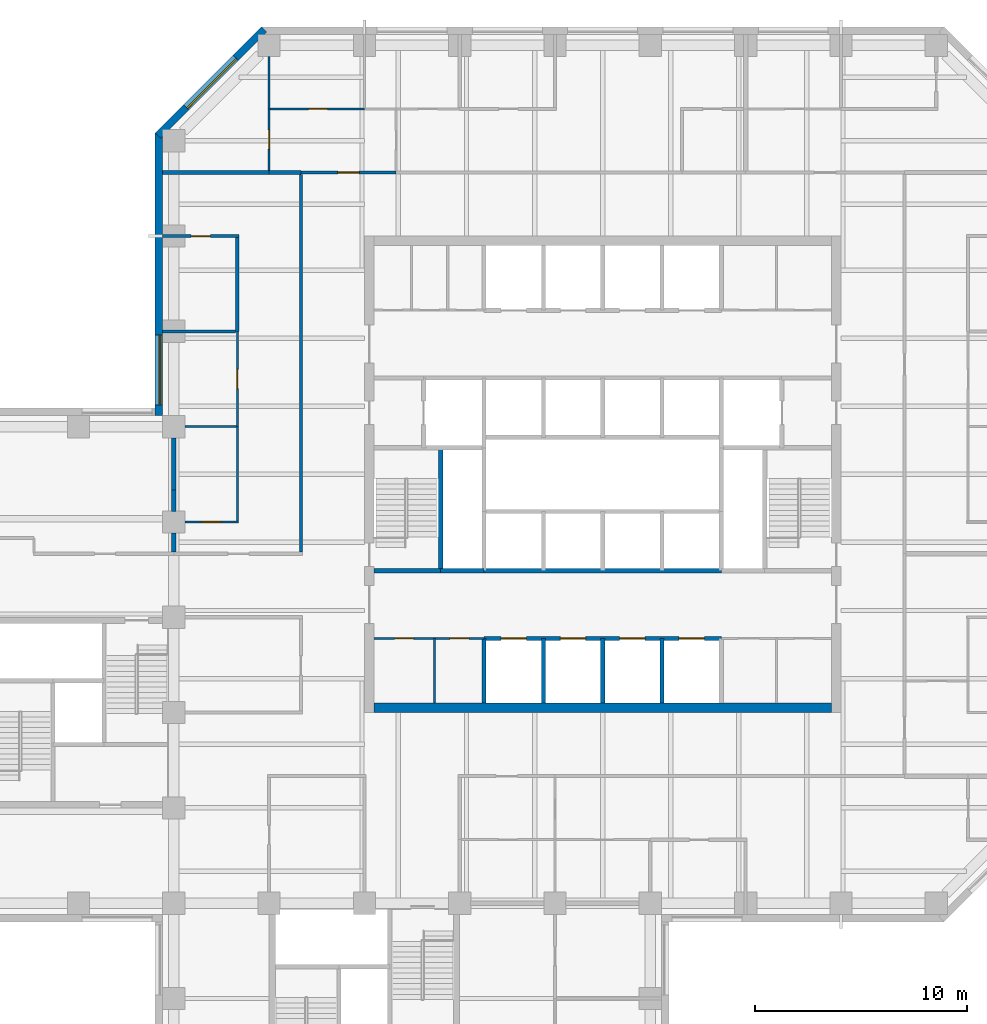
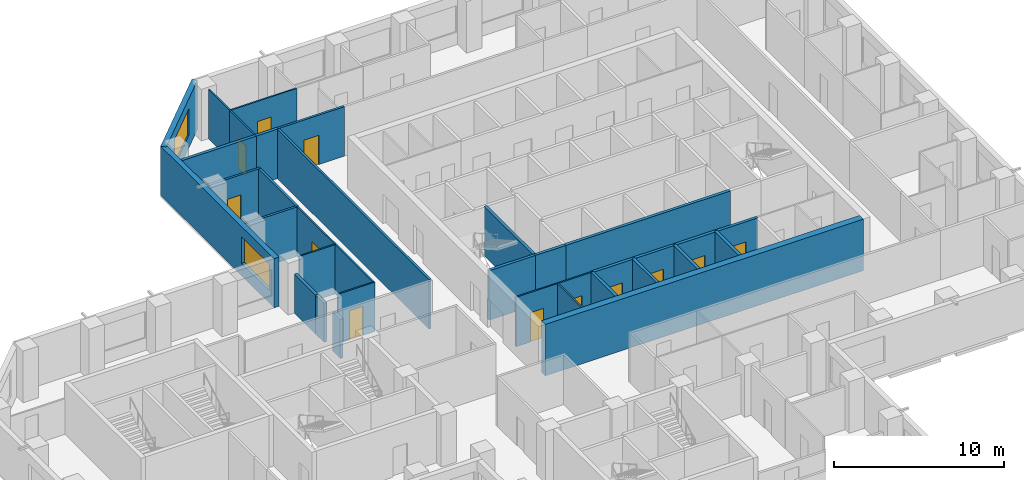
# One storey, part 6 of 11: 31 walls, 12 doors, 2 windows, 14 openings.
"""IFC4 building model written with IfcOpenShell, lengths in metres."""

from ifc_helpers import new_model, si_unit, direction, frame, frame_2d, origin, place, context, subcontext, project, spatial, rectangle, extrude, material, layer, layer_set, constituent, constituent_set, type_object, element, fill, save


model = new_model("IFC4")

# Units and contexts
model_context = context("Model", 3, precision=1e-05, world=origin(), true_north=direction((0.0, 1.0)))
body_context = subcontext(model_context, "Body", "Model", "MODEL_VIEW")
ifc_project = project(units=[si_unit("LENGTHUNIT", "METRE"), si_unit("AREAUNIT", "SQUARE_METRE"), si_unit("VOLUMEUNIT", "CUBIC_METRE"), si_unit("PLANEANGLEUNIT", "RADIAN"), si_unit("MASSUNIT", "GRAM", prefix="KILO")], contexts=[model_context])

# Site, building, storey
site_placement = place(None, origin())
site = spatial("IfcSite", under=ifc_project, at=site_placement, CompositionType="ELEMENT")
building_placement = place(site_placement, origin())
building = spatial("IfcBuilding", under=site, at=building_placement, Name="Quoin Convention Tower", CompositionType="ELEMENT")
storey_placement = place(building_placement, frame((0.0, 0.0, 108.5)))
storey = spatial("IfcBuildingStorey", under=building, at=storey_placement, Name="L28", CompositionType="ELEMENT", Elevation=108.5)

# Wall
ifc_material_1 = material(Name="Plasterboard")
ifc_layer_1 = layer(ifc_material_1, 0.012451171875, Name="Finish")
ifc_material_2 = material(Name="Steel stud framing", Category="steel")
ifc_layer_2 = layer(ifc_material_2, 0.125, Name="Structure")
ifc_layer_3 = layer(ifc_material_1, 0.012451171875, Name="Finish")
ifc_layer_set_1 = layer_set([ifc_layer_1, ifc_layer_2, ifc_layer_3], Name="Steel stud framing")
wall_type_1 = type_object("IfcWallType", Name="Acoustic partition 150", PredefinedType="PARTITIONING", material=ifc_layer_set_1)
wall_1_placement = place(storey_placement, frame((35.47509765625, 67.5, 0.0), z_axis=(0.0, 0.0, 1.0), x_axis=(1.0, 0.0, 0.0)))
element("IfcWall", 1, at=wall_1_placement, inside=storey, type_object=wall_type_1, Name="pw-L28-045", PredefinedType="PARTITIONING", context=body_context, shape_type="SweptSolid", body=[
    extrude(rectangle(XDim=3.449951171875, YDim=0.14990234375, at=frame_2d((1.72509765625, 0.0))), origin(), (0.0, 0.0, 1.0), 3.550048828125),
])

# Wall, opening, door
wall_2_placement = place(storey_placement, frame((35.47509765625, 72.0, 0.0), z_axis=(0.0, 0.0, 1.0), x_axis=(1.0, 0.0, 0.0)))
wall_2 = element("IfcWall", 2, at=wall_2_placement, inside=storey, type_object=wall_type_1, Name="pw-L28-047", PredefinedType="PARTITIONING", context=body_context, shape_type="SweptSolid", body=[
    extrude(rectangle(XDim=3.599853515625, YDim=0.14990234375, at=frame_2d((1.7998046875, 0.0))), origin(), (0.0, 0.0, 1.0), 3.550048828125),
])
opening_1_placement = place(wall_2_placement, frame((1.35009765625, 0.0, 0.0)))
opening_1 = element("IfcOpeningElement", 3, at=opening_1_placement, cuts=wall_2, Name="Opening DOL5-15", PredefinedType="OPENING", context=body_context, shape_type="SweptSolid", body=[
    extrude(rectangle(XDim=0.89990234375, YDim=2.10009765625, at=frame_2d((0.449951171875, 1.050048828125))), frame((0.0, 0.0849609375, 0.0), z_axis=(0.0, -1.0, 0.0), x_axis=(1.0, 0.0, 0.0)), (0.0, 0.0, 1.0), 0.169921875),
])
ifc_material_3 = material(Name="Steel door leaf", Category="steel")
door_type_1 = type_object("IfcDoorType", Name="Office door 900 x 2100", OperationType="SINGLE_SWING_RIGHT", PredefinedType="DOOR", material=ifc_material_3)
door_1_placement = place(opening_1_placement, origin())
door_1 = element("IfcDoor", 4, at=door_1_placement, inside=storey, type_object=door_type_1, Name="dr-L28-41", OperationType="SINGLE_SWING_RIGHT", OverallHeight=2.10009765625, OverallWidth=0.89990234375, PredefinedType="DOOR", context=body_context, shape_type="SweptSolid", body=[
    extrude(rectangle(XDim=0.89990234375, YDim=2.10009765625, at=frame_2d((0.449951171875, 1.050048828125))), frame((0.0, 0.02490234375, 0.0), z_axis=(0.0, -1.0, 0.0), x_axis=(1.0, 0.0, 0.0)), (0.0, 0.0, 1.0), 0.050048828125),
])
fill(opening_1, door_1)

# Wall
wall_3_placement = place(storey_placement, frame((39.0, 67.5, 0.0), z_axis=(0.0, 0.0, 1.0), x_axis=(0.0, 1.0, 0.0)))
element("IfcWall", 5, at=wall_3_placement, inside=storey, type_object=wall_type_1, Name="pw-L28-108", PredefinedType="PARTITIONING", context=body_context, shape_type="SweptSolid", body=[
    extrude(rectangle(XDim=4.425048828125, YDim=0.14990234375, at=frame_2d((2.21240234375, 0.0))), origin(), (0.0, 0.0, 1.0), 3.550048828125),
])

# Wall, opening, window
ifc_material_4 = material(Name="Brick masonry", Category="masonry")
ifc_layer_4 = layer(ifc_material_4, 0.35009765625)
ifc_layer_set_2 = layer_set([ifc_layer_4], Name="Brick masonry")
wall_type_2 = type_object("IfcWallType", Name="Brick facade wall", PredefinedType="STANDARD", material=ifc_layer_set_2)
wall_4_placement = place(storey_placement, frame((40.26123046875, 81.751220703125, 0.0), z_axis=(0.0, 0.0, 1.0), x_axis=(-0.707106781187, -0.707106781187, 0.0)))
wall_4 = element("IfcWall", 6, at=wall_4_placement, inside=storey, type_object=wall_type_2, Name="fw-L28-40500_81000", PredefinedType="STANDARD", context=body_context, shape_type="SweptSolid", body=[
    extrude(rectangle(XDim=7.088623046875, YDim=0.35009765625, at=frame_2d((3.54443359375, 0.0))), origin(), (0.0, 0.0, 1.0), 3.52490234375),
])
opening_2_placement = place(wall_4_placement, frame((1.894287109375, 0.0, 0.89990234375)))
opening_2 = element("IfcOpeningElement", 7, at=opening_2_placement, cuts=wall_4, Name="Opening W-02", PredefinedType="OPENING", context=body_context, shape_type="SweptSolid", body=[
    extrude(rectangle(XDim=3.300048828125, YDim=1.89990234375, at=frame_2d((1.64990234375, 0.949951171875))), frame((0.0, 0.18505859375, 0.0), z_axis=(0.0, -1.0, 0.0), x_axis=(1.0, 0.0, 0.0)), (0.0, 0.0, 1.0), 0.3701171875),
])
ifc_material_5 = material(Name="Aluminium", Category="aluminium")
ifc_constituent_1 = constituent(ifc_material_5, Name="Frame")
ifc_material_6 = material(Name="Insulated glass", Category="glass")
ifc_constituent_2 = constituent(ifc_material_6, Name="Glazing")
ifc_constituent_set = constituent_set(constituents=[ifc_constituent_1, ifc_constituent_2], Name="Aluminium")
window_type = type_object("IfcWindowType", Name="Office window", PartitioningType="DOUBLE_PANEL_VERTICAL", PredefinedType="WINDOW", material=ifc_constituent_set)
window_1_placement = place(opening_2_placement, origin())
window_1 = element("IfcWindow", 8, at=window_1_placement, inside=storey, type_object=window_type, Name="win-L28-37755_79245", OverallHeight=1.89990234375, OverallWidth=3.300048828125, PartitioningType="SINGLE_PANEL", PredefinedType="WINDOW", context=body_context, shape_type="SweptSolid", body=[
    extrude(rectangle(XDim=3.300048828125, YDim=1.89990234375, at=frame_2d((1.64990234375, 0.949951171875))), frame((0.0, 0.0849609375, 0.0), z_axis=(0.0, -1.0, 0.0), x_axis=(1.0, 0.0, 0.0)), (0.0, 0.0, 1.0), 0.06005859375),
])
fill(opening_2, window_1)

wall_5_placement = place(storey_placement, frame((35.300048828125, 76.8623046875, 0.0), z_axis=(0.0, 0.0, 1.0), x_axis=(0.0, -1.0, 0.0)))
wall_5 = element("IfcWall", 9, at=wall_5_placement, inside=storey, type_object=wall_type_2, Name="fw-L28-36000_76500", PredefinedType="STANDARD", context=body_context, shape_type="SweptSolid", body=[
    extrude(rectangle(XDim=13.33740234375, YDim=0.35009765625, at=frame_2d((6.668701171875, 0.0))), origin(), (0.0, 0.0, 1.0), 3.52490234375),
])
opening_3_placement = place(wall_5_placement, frame((9.537353515625, 0.0, 0.89990234375)))
opening_3 = element("IfcOpeningElement", 10, at=opening_3_placement, cuts=wall_5, Name="Opening W-02", PredefinedType="OPENING", context=body_context, shape_type="SweptSolid", body=[
    extrude(rectangle(XDim=3.300048828125, YDim=1.89990234375, at=frame_2d((1.64990234375, 0.949951171875))), frame((0.0, 0.18505859375, 0.0), z_axis=(0.0, -1.0, 0.0), x_axis=(1.0, 0.0, 0.0)), (0.0, 0.0, 1.0), 0.3701171875),
])
window_2_placement = place(opening_3_placement, origin())
window_2 = element("IfcWindow", 11, at=window_2_placement, inside=storey, type_object=window_type, Name="win-L28-35300_65250", OverallHeight=1.89990234375, OverallWidth=3.300048828125, PartitioningType="SINGLE_PANEL", PredefinedType="WINDOW", context=body_context, shape_type="SweptSolid", body=[
    extrude(rectangle(XDim=3.300048828125, YDim=1.89990234375, at=frame_2d((1.64990234375, 0.949951171875))), frame((0.0, 0.0849609375, 0.0), z_axis=(0.0, -1.0, 0.0), x_axis=(1.0, 0.0, 0.0)), (0.0, 0.0, 1.0), 0.06005859375),
])
fill(opening_3, window_2)

# Wall, openings, doors
ifc_layer_5 = layer(ifc_material_1, 0.012451171875, Name="Finish")
ifc_layer_6 = layer(ifc_material_2, 0.074951171875, Name="Structure")
ifc_layer_7 = layer(ifc_material_1, 0.012451171875, Name="Finish")
ifc_layer_set_3 = layer_set([ifc_layer_5, ifc_layer_6, ifc_layer_7], Name="Steel stud framing")
wall_type_3 = type_object("IfcWallType", Name="Core partition wall", PredefinedType="PARTITIONING", material=ifc_layer_set_3)
wall_6_placement = place(storey_placement, frame((45.449951171875, 53.0, 0.0), z_axis=(0.0, 0.0, 1.0), x_axis=(1.0, 0.0, 0.0)))
wall_6 = element("IfcWall", 12, at=wall_6_placement, inside=storey, type_object=wall_type_3, Name="cr-C1-L28-h3500_450", PredefinedType="PARTITIONING", context=body_context, shape_type="SweptSolid", body=[
    extrude(rectangle(XDim=5.199951171875, YDim=0.10009765625, at=frame_2d((2.60009765625, 0.0))), origin(), (0.0, 0.0, 1.0), 3.550048828125),
])
opening_4_placement = place(wall_6_placement, frame((0.97998046875, 0.0, 0.0)))
opening_4 = element("IfcOpeningElement", 13, at=opening_4_placement, cuts=wall_6, Name="Opening DCV4-34", PredefinedType="OPENING", context=body_context, shape_type="SweptSolid", body=[
    extrude(rectangle(XDim=0.89990234375, YDim=2.10009765625, at=frame_2d((0.449951171875, 1.050048828125))), frame((0.0, 0.06005859375, 0.0), z_axis=(0.0, -1.0, 0.0), x_axis=(1.0, 0.0, 0.0)), (0.0, 0.0, 1.0), 0.1201171875),
])
opening_5_placement = place(wall_6_placement, frame((3.580078125, 0.0, 0.0)))
opening_5 = element("IfcOpeningElement", 14, at=opening_5_placement, cuts=wall_6, Name="Opening DCV4-35", PredefinedType="OPENING", context=body_context, shape_type="SweptSolid", body=[
    extrude(rectangle(XDim=0.89990234375, YDim=2.10009765625, at=frame_2d((0.449951171875, 1.050048828125))), frame((0.0, 0.06005859375, 0.0), z_axis=(0.0, -1.0, 0.0), x_axis=(1.0, 0.0, 0.0)), (0.0, 0.0, 1.0), 0.1201171875),
])
door_type_2 = type_object("IfcDoorType", Name="Core room door 900 x 2100", OperationType="SINGLE_SWING_LEFT", PredefinedType="DOOR", material=ifc_material_3)
door_2_placement = place(opening_4_placement, frame((0.89990234375, 0.0, 0.0), z_axis=(0.0, 0.0, 1.0), x_axis=(-1.0, 0.0, 0.0)))
door_2 = element("IfcDoor", 15, at=door_2_placement, inside=storey, type_object=door_type_2, Name="cd-C1-L28-CSW0-lobA-CD2814", OperationType="SINGLE_SWING_LEFT", OverallHeight=2.10009765625, OverallWidth=0.89990234375, PredefinedType="DOOR", context=body_context, shape_type="SweptSolid", body=[
    extrude(rectangle(XDim=0.89990234375, YDim=2.10009765625, at=frame_2d((0.449951171875, 1.050048828125))), frame((0.0, 0.02490234375, 0.0), z_axis=(0.0, -1.0, 0.0), x_axis=(1.0, 0.0, 0.0)), (0.0, 0.0, 1.0), 0.050048828125),
])
fill(opening_4, door_2)
door_3_placement = place(opening_5_placement, frame((0.89990234375, 0.0, 0.0), z_axis=(0.0, 0.0, 1.0), x_axis=(-1.0, 0.0, 0.0)))
door_3 = element("IfcDoor", 16, at=door_3_placement, inside=storey, type_object=door_type_2, Name="cd-C1-L28-CSW1-lobA-CD2815", OperationType="SINGLE_SWING_LEFT", OverallHeight=2.10009765625, OverallWidth=0.89990234375, PredefinedType="DOOR", context=body_context, shape_type="SweptSolid", body=[
    extrude(rectangle(XDim=0.89990234375, YDim=2.10009765625, at=frame_2d((0.449951171875, 1.050048828125))), frame((0.0, 0.02490234375, 0.0), z_axis=(0.0, -1.0, 0.0), x_axis=(1.0, 0.0, 0.0)), (0.0, 0.0, 1.0), 0.050048828125),
])
fill(opening_5, door_3)

# Wall
wall_7_placement = place(storey_placement, frame((48.31005859375, 49.949951171875, 0.0), z_axis=(0.0, 0.0, 1.0), x_axis=(0.0, 1.0, 0.0)))
element("IfcWall", 17, at=wall_7_placement, inside=storey, type_object=wall_type_3, Name="cr-C1-L28-v3310_450", PredefinedType="PARTITIONING", context=body_context, shape_type="SweptSolid", body=[
    extrude(rectangle(XDim=3.050048828125, YDim=0.10009765625, at=frame_2d((1.52490234375, 0.0))), origin(), (0.0, 0.0, 1.0), 3.550048828125),
])

# Wall, openings, doors
ifc_material_7 = material(Name="Concrete C50", Category="concrete")
ifc_layer_8 = layer(ifc_material_7, 0.199951171875)
ifc_layer_set_4 = layer_set([ifc_layer_8], Name="Concrete C50")
wall_type_4 = type_object("IfcWallType", Name="Core shaft wall", PredefinedType="SOLIDWALL", material=ifc_layer_set_4)
wall_8_placement = place(storey_placement, frame((50.64990234375, 53.0, 0.0), z_axis=(0.0, 0.0, 1.0), x_axis=(1.0, 0.0, 0.0)))
wall_8 = element("IfcWall", 18, at=wall_8_placement, inside=storey, type_object=wall_type_4, Name="cr-C1-L28-h3500_5650", PredefinedType="SOLIDWALL", context=body_context, shape_type="SweptSolid", body=[
    extrude(rectangle(XDim=11.2001953125, YDim=0.199951171875, at=frame_2d((5.60009765625, 0.0))), origin(), (0.0, 0.0, 1.0), 3.550048828125),
])
opening_6_placement = place(wall_8_placement, frame((0.800048828125, 0.0, 0.0)))
opening_6 = element("IfcOpeningElement", 19, at=opening_6_placement, cuts=wall_8, Name="Opening LDL1", PredefinedType="OPENING", context=body_context, shape_type="SweptSolid", body=[
    extrude(rectangle(XDim=1.199951171875, YDim=2.10009765625, at=frame_2d((0.60009765625, 1.050048828125))), frame((0.0, 0.10986328125, 0.0), z_axis=(0.0, -1.0, 0.0), x_axis=(1.0, 0.0, 0.0)), (0.0, 0.0, 1.0), 0.219970703125),
])
opening_7_placement = place(wall_8_placement, frame((3.60009765625, 0.0, 0.0)))
opening_7 = element("IfcOpeningElement", 20, at=opening_7_placement, cuts=wall_8, Name="Opening LDL2", PredefinedType="OPENING", context=body_context, shape_type="SweptSolid", body=[
    extrude(rectangle(XDim=1.199951171875, YDim=2.10009765625, at=frame_2d((0.60009765625, 1.050048828125))), frame((0.0, 0.10986328125, 0.0), z_axis=(0.0, -1.0, 0.0), x_axis=(1.0, 0.0, 0.0)), (0.0, 0.0, 1.0), 0.219970703125),
])
opening_8_placement = place(wall_8_placement, frame((6.39990234375, 0.0, 0.0)))
opening_8 = element("IfcOpeningElement", 21, at=opening_8_placement, cuts=wall_8, Name="Opening LDL3", PredefinedType="OPENING", context=body_context, shape_type="SweptSolid", body=[
    extrude(rectangle(XDim=1.199951171875, YDim=2.10009765625, at=frame_2d((0.60009765625, 1.050048828125))), frame((0.0, 0.10986328125, 0.0), z_axis=(0.0, -1.0, 0.0), x_axis=(1.0, 0.0, 0.0)), (0.0, 0.0, 1.0), 0.219970703125),
])
opening_9_placement = place(wall_8_placement, frame((9.199951171875, 0.0, 0.0)))
opening_9 = element("IfcOpeningElement", 22, at=opening_9_placement, cuts=wall_8, Name="Opening LDL4", PredefinedType="OPENING", context=body_context, shape_type="SweptSolid", body=[
    extrude(rectangle(XDim=1.199951171875, YDim=2.10009765625, at=frame_2d((0.60009765625, 1.050048828125))), frame((0.0, 0.10986328125, 0.0), z_axis=(0.0, -1.0, 0.0), x_axis=(1.0, 0.0, 0.0)), (0.0, 0.0, 1.0), 0.219970703125),
])
door_type_3 = type_object("IfcDoorType", Name="Lift landing door 1200 x 2100", OperationType="DOUBLE_DOOR_SLIDING", PredefinedType="DOOR", material=ifc_material_3)
door_4_placement = place(opening_6_placement, origin())
door_4 = element("IfcDoor", 23, at=door_4_placement, inside=storey, type_object=door_type_3, Name="cd-C1-L28-R10-lobA-LDL1", OperationType="DOUBLE_DOOR_SLIDING", OverallHeight=2.10009765625, OverallWidth=1.199951171875, PredefinedType="DOOR", context=body_context, shape_type="SweptSolid", body=[
    extrude(rectangle(XDim=1.199951171875, YDim=2.10009765625, at=frame_2d((0.60009765625, 1.050048828125))), frame((0.0, 0.02490234375, 0.0), z_axis=(0.0, -1.0, 0.0), x_axis=(1.0, 0.0, 0.0)), (0.0, 0.0, 1.0), 0.050048828125),
])
fill(opening_6, door_4)
door_5_placement = place(opening_7_placement, origin())
door_5 = element("IfcDoor", 24, at=door_5_placement, inside=storey, type_object=door_type_3, Name="cd-C1-L28-R11-lobA-LDL2", OperationType="DOUBLE_DOOR_SLIDING", OverallHeight=2.10009765625, OverallWidth=1.199951171875, PredefinedType="DOOR", context=body_context, shape_type="SweptSolid", body=[
    extrude(rectangle(XDim=1.199951171875, YDim=2.10009765625, at=frame_2d((0.60009765625, 1.050048828125))), frame((0.0, 0.02490234375, 0.0), z_axis=(0.0, -1.0, 0.0), x_axis=(1.0, 0.0, 0.0)), (0.0, 0.0, 1.0), 0.050048828125),
])
fill(opening_7, door_5)
door_6_placement = place(opening_8_placement, origin())
door_6 = element("IfcDoor", 25, at=door_6_placement, inside=storey, type_object=door_type_3, Name="cd-C1-L28-R12-lobA-LDL3", OperationType="DOUBLE_DOOR_SLIDING", OverallHeight=2.10009765625, OverallWidth=1.199951171875, PredefinedType="DOOR", context=body_context, shape_type="SweptSolid", body=[
    extrude(rectangle(XDim=1.199951171875, YDim=2.10009765625, at=frame_2d((0.60009765625, 1.050048828125))), frame((0.0, 0.02490234375, 0.0), z_axis=(0.0, -1.0, 0.0), x_axis=(1.0, 0.0, 0.0)), (0.0, 0.0, 1.0), 0.050048828125),
])
fill(opening_8, door_6)
door_7_placement = place(opening_9_placement, origin())
door_7 = element("IfcDoor", 26, at=door_7_placement, inside=storey, type_object=door_type_3, Name="cd-C1-L28-R13-lobA-LDL4", OperationType="DOUBLE_DOOR_SLIDING", OverallHeight=2.10009765625, OverallWidth=1.199951171875, PredefinedType="DOOR", context=body_context, shape_type="SweptSolid", body=[
    extrude(rectangle(XDim=1.199951171875, YDim=2.10009765625, at=frame_2d((0.60009765625, 1.050048828125))), frame((0.0, 0.02490234375, 0.0), z_axis=(0.0, -1.0, 0.0), x_axis=(1.0, 0.0, 0.0)), (0.0, 0.0, 1.0), 0.050048828125),
])
fill(opening_9, door_7)

# Walls
wall_9_placement = place(storey_placement, frame((48.60009765625, 56.199951171875, 0.0), z_axis=(0.0, 0.0, 1.0), x_axis=(1.0, 0.0, 0.0)))
element("IfcWall", 27, at=wall_9_placement, inside=storey, type_object=wall_type_4, Name="cr-C1-L28-h6700_3600", PredefinedType="SOLIDWALL", context=body_context, shape_type="SweptSolid", body=[
    extrude(rectangle(XDim=2.0498046875, YDim=0.199951171875, at=frame_2d((1.02490234375, 0.0))), origin(), (0.0, 0.0, 1.0), 3.550048828125),
])
wall_10_placement = place(storey_placement, frame((45.449951171875, 56.199951171875, 0.0), z_axis=(0.0, 0.0, 1.0), x_axis=(1.0, 0.0, 0.0)))
element("IfcWall", 28, at=wall_10_placement, inside=storey, type_object=wall_type_4, Name="cr-C1-L28-h6700_450", PredefinedType="SOLIDWALL", context=body_context, shape_type="SweptSolid", body=[
    extrude(rectangle(XDim=3.150146484375, YDim=0.199951171875, at=frame_2d((1.5751953125, 0.0))), origin(), (0.0, 0.0, 1.0), 3.550048828125),
])
wall_11_placement = place(storey_placement, frame((50.64990234375, 56.199951171875, 0.0), z_axis=(0.0, 0.0, 1.0), x_axis=(1.0, 0.0, 0.0)))
element("IfcWall", 29, at=wall_11_placement, inside=storey, type_object=wall_type_4, Name="cr-C1-L28-h6700_5650", PredefinedType="SOLIDWALL", context=body_context, shape_type="SweptSolid", body=[
    extrude(rectangle(XDim=11.2001953125, YDim=0.199951171875, at=frame_2d((5.60009765625, 0.0))), origin(), (0.0, 0.0, 1.0), 3.550048828125),
])
wall_12_placement = place(storey_placement, frame((48.60009765625, 56.199951171875, 0.0), z_axis=(0.0, 0.0, 1.0), x_axis=(0.0, 1.0, 0.0)))
element("IfcWall", 30, at=wall_12_placement, inside=storey, type_object=wall_type_4, Name="cr-C1-L28-v3600_6700", PredefinedType="SOLIDWALL", context=body_context, shape_type="SweptSolid", body=[
    extrude(rectangle(XDim=5.800048828125, YDim=0.199951171875, at=frame_2d((2.89990234375, 0.0))), origin(), (0.0, 0.0, 1.0), 3.550048828125),
])
for number, where, z_axis, x_axis, name in (
    (31, (50.64990234375, 49.949951171875, 0.0), (0.0, 0.0, 1.0), (0.0, 1.0, 0.0), "cr-C1-L28-v5650_450"),
    (32, (53.449951171875, 49.949951171875, 0.0), (0.0, 0.0, 1.0), (0.0, 1.0, 0.0), "cr-C1-L28-v8450_450"),
    (33, (56.25, 49.949951171875, 0.0), (0.0, 0.0, 1.0), (0.0, 1.0, 0.0), "cr-C1-L28-v11250_450"),
    (34, (59.050048828125, 49.949951171875, 0.0), (0.0, 0.0, 1.0), (0.0, 1.0, 0.0), "cr-C1-L28-v14050_450"),
):
    element("IfcWall", number, at=place(storey_placement, frame(where, z_axis=z_axis, x_axis=x_axis)), inside=storey, type_object=wall_type_4, Name=name, PredefinedType="SOLIDWALL", context=body_context, shape_type="SweptSolid", body=[
        extrude(rectangle(XDim=3.050048828125, YDim=0.199951171875, at=frame_2d((1.52490234375, 0.0))), origin(), (0.0, 0.0, 1.0), 3.550048828125),
    ])

# Wall, opening, door
ifc_layer_9 = layer(ifc_material_1, 0.012451171875, Name="Finish")
ifc_layer_10 = layer(ifc_material_2, 0.125, Name="Structure")
ifc_layer_11 = layer(ifc_material_1, 0.012451171875, Name="Finish")
ifc_layer_set_5 = layer_set([ifc_layer_9, ifc_layer_10, ifc_layer_11], Name="Steel stud framing")
wall_type_5 = type_object("IfcWallType", Name="Corridor wall 150", PredefinedType="PARTITIONING", material=ifc_layer_set_5)
wall_13_placement = place(storey_placement, frame((42.0, 75.0, 0.0), z_axis=(0.0, 0.0, 1.0), x_axis=(1.0, 0.0, 0.0)))
wall_13 = element("IfcWall", 35, at=wall_13_placement, inside=storey, type_object=wall_type_5, Name="pw-L28-051", PredefinedType="PARTITIONING", context=body_context, shape_type="SweptSolid", body=[
    extrude(rectangle(XDim=4.5, YDim=0.14990234375, at=frame_2d((2.25, 0.0))), origin(), (0.0, 0.0, 1.0), 3.550048828125),
])
opening_10_placement = place(wall_13_placement, frame((1.75, 0.0, 0.0)))
opening_10 = element("IfcOpeningElement", 36, at=opening_10_placement, cuts=wall_13, Name="Opening DOL5-17", PredefinedType="OPENING", context=body_context, shape_type="SweptSolid", body=[
    extrude(rectangle(XDim=1.0, YDim=2.10009765625, at=frame_2d((0.5, 1.050048828125))), frame((0.0, 0.0849609375, 0.0), z_axis=(0.0, -1.0, 0.0), x_axis=(1.0, 0.0, 0.0)), (0.0, 0.0, 1.0), 0.169921875),
])
door_type_4 = type_object("IfcDoorType", Name="Tenancy entrance door 1000 x 2100", OperationType="DOUBLE_DOOR_SINGLE_SWING", PredefinedType="DOOR", material=ifc_material_3)
door_8_placement = place(opening_10_placement, origin())
door_8 = element("IfcDoor", 37, at=door_8_placement, inside=storey, type_object=door_type_4, Name="dr-L28-31", OperationType="DOUBLE_DOOR_SINGLE_SWING", OverallHeight=2.10009765625, OverallWidth=1.0, PredefinedType="DOOR", context=body_context, shape_type="SweptSolid", body=[
    extrude(rectangle(XDim=1.0, YDim=2.10009765625, at=frame_2d((0.5, 1.050048828125))), frame((0.0, 0.02490234375, 0.0), z_axis=(0.0, -1.0, 0.0), x_axis=(1.0, 0.0, 0.0)), (0.0, 0.0, 1.0), 0.050048828125),
])
fill(opening_10, door_8)

# Walls
wall_14_placement = place(storey_placement, frame((42.0, 57.074951171875, 0.0), z_axis=(0.0, 0.0, 1.0), x_axis=(0.0, 1.0, 0.0)))
element("IfcWall", 38, at=wall_14_placement, inside=storey, type_object=wall_type_5, Name="pw-L28-097", PredefinedType="PARTITIONING", context=body_context, shape_type="SweptSolid", body=[
    extrude(rectangle(XDim=17.824951171875, YDim=0.14990234375, at=frame_2d((8.91259765625, 0.0))), origin(), (0.0, 0.0, 1.0), 3.550048828125),
])
ifc_material_8 = material(Name="Concrete C65", Category="concrete")
ifc_layer_12 = layer(ifc_material_8, 0.449951171875)
ifc_layer_set_6 = layer_set([ifc_layer_12], Name="Concrete C65")
wall_type_6 = type_object("IfcWallType", Name="RC CORE WALL 450 C65", PredefinedType="SHEAR", material=ifc_layer_set_6)
wall_15_placement = place(storey_placement, frame((45.449951171875, 49.72509765625, 0.0), z_axis=(0.0, 0.0, 1.0), x_axis=(1.0, 0.0, 0.0)))
element("IfcWall", 39, at=wall_15_placement, inside=storey, type_object=wall_type_6, Name="cwl-C1-L28-S", PredefinedType="SHEAR", context=body_context, shape_type="SweptSolid", body=[
    extrude(rectangle(XDim=21.60009765625, YDim=0.449951171875, at=frame_2d((10.800048828125, 0.0))), origin(), (0.0, 0.0, 1.0), 3.699951171875),
])

# Wall, opening, door
ifc_layer_13 = layer(ifc_material_1, 0.012451171875, Name="Finish")
ifc_layer_14 = layer(ifc_material_2, 0.074951171875, Name="Structure")
ifc_layer_15 = layer(ifc_material_1, 0.012451171875, Name="Finish")
ifc_layer_set_7 = layer_set([ifc_layer_13, ifc_layer_14, ifc_layer_15], Name="Steel stud framing")
wall_type_7 = type_object("IfcWallType", Name="Stud partition 100", PredefinedType="PARTITIONING", material=ifc_layer_set_7)
wall_16_placement = place(storey_placement, frame((36.52490234375, 58.5, 0.0), z_axis=(0.0, 0.0, 1.0), x_axis=(1.0, 0.0, 0.0)))
wall_16 = element("IfcWall", 40, at=wall_16_placement, inside=storey, type_object=wall_type_7, Name="pw-L28-038", PredefinedType="PARTITIONING", context=body_context, shape_type="SweptSolid", body=[
    extrude(rectangle(XDim=2.525146484375, YDim=0.10009765625, at=frame_2d((1.2626953125, 0.0))), origin(), (0.0, 0.0, 1.0), 3.550048828125),
])
opening_11_placement = place(wall_16_placement, frame((0.800048828125, 0.0, 0.0)))
opening_11 = element("IfcOpeningElement", 41, at=opening_11_placement, cuts=wall_16, Name="Opening DOL5-13", PredefinedType="OPENING", context=body_context, shape_type="SweptSolid", body=[
    extrude(rectangle(XDim=0.89990234375, YDim=2.10009765625, at=frame_2d((0.449951171875, 1.050048828125))), frame((0.0, 0.06005859375, 0.0), z_axis=(0.0, -1.0, 0.0), x_axis=(1.0, 0.0, 0.0)), (0.0, 0.0, 1.0), 0.1201171875),
])
door_9_placement = place(opening_11_placement, frame((0.89990234375, 0.0, 0.0), z_axis=(0.0, 0.0, 1.0), x_axis=(-1.0, 0.0, 0.0)))
door_9 = element("IfcDoor", 42, at=door_9_placement, inside=storey, type_object=door_type_1, Name="dr-L28-39", OperationType="SINGLE_SWING_LEFT", OverallHeight=2.10009765625, OverallWidth=0.89990234375, PredefinedType="DOOR", context=body_context, shape_type="SweptSolid", body=[
    extrude(rectangle(XDim=0.89990234375, YDim=2.10009765625, at=frame_2d((0.449951171875, 1.050048828125))), frame((0.0, 0.02490234375, 0.0), z_axis=(0.0, -1.0, 0.0), x_axis=(1.0, 0.0, 0.0)), (0.0, 0.0, 1.0), 0.050048828125),
])
fill(opening_11, door_9)

# Wall
wall_17_placement = place(storey_placement, frame((36.52490234375, 63.0, 0.0), z_axis=(0.0, 0.0, 1.0), x_axis=(1.0, 0.0, 0.0)))
element("IfcWall", 43, at=wall_17_placement, inside=storey, type_object=wall_type_7, Name="pw-L28-043", PredefinedType="PARTITIONING", context=body_context, shape_type="SweptSolid", body=[
    extrude(rectangle(XDim=2.425048828125, YDim=0.10009765625, at=frame_2d((1.21240234375, 0.0))), origin(), (0.0, 0.0, 1.0), 3.550048828125),
])

# Wall, opening, door
wall_18_placement = place(storey_placement, frame((40.550048828125, 78.0, 0.0), z_axis=(0.0, 0.0, 1.0), x_axis=(1.0, 0.0, 0.0)))
wall_18 = element("IfcWall", 44, at=wall_18_placement, inside=storey, type_object=wall_type_7, Name="pw-L28-056", PredefinedType="PARTITIONING", context=body_context, shape_type="SweptSolid", body=[
    extrude(rectangle(XDim=4.449951171875, YDim=0.10009765625, at=frame_2d((2.22509765625, 0.0))), origin(), (0.0, 0.0, 1.0), 3.550048828125),
])
opening_12_placement = place(wall_18_placement, frame((1.800048828125, 0.0, 0.0)))
opening_12 = element("IfcOpeningElement", 45, at=opening_12_placement, cuts=wall_18, Name="Opening DOL5-19", PredefinedType="OPENING", context=body_context, shape_type="SweptSolid", body=[
    extrude(rectangle(XDim=0.89990234375, YDim=2.10009765625, at=frame_2d((0.449951171875, 1.050048828125))), frame((0.0, 0.06005859375, 0.0), z_axis=(0.0, -1.0, 0.0), x_axis=(1.0, 0.0, 0.0)), (0.0, 0.0, 1.0), 0.1201171875),
])
door_10_placement = place(opening_12_placement, frame((0.89990234375, 0.0, 0.0), z_axis=(0.0, 0.0, 1.0), x_axis=(-1.0, 0.0, 0.0)))
door_10 = element("IfcDoor", 46, at=door_10_placement, inside=storey, type_object=door_type_1, Name="dr-L28-34", OperationType="SINGLE_SWING_LEFT", OverallHeight=2.10009765625, OverallWidth=0.89990234375, PredefinedType="DOOR", context=body_context, shape_type="SweptSolid", body=[
    extrude(rectangle(XDim=0.89990234375, YDim=2.10009765625, at=frame_2d((0.449951171875, 1.050048828125))), frame((0.0, 0.02490234375, 0.0), z_axis=(0.0, -1.0, 0.0), x_axis=(1.0, 0.0, 0.0)), (0.0, 0.0, 1.0), 0.050048828125),
])
fill(opening_12, door_10)

# Wall
wall_19_placement = place(storey_placement, frame((39.0, 58.550048828125, 0.0), z_axis=(0.0, 0.0, 1.0), x_axis=(0.0, 1.0, 0.0)))
element("IfcWall", 47, at=wall_19_placement, inside=storey, type_object=wall_type_7, Name="pw-L28-098", PredefinedType="PARTITIONING", context=body_context, shape_type="SweptSolid", body=[
    extrude(rectangle(XDim=4.449951171875, YDim=0.10009765625, at=frame_2d((2.22509765625, 0.0))), origin(), (0.0, 0.0, 1.0), 3.550048828125),
])

# Wall, opening, door
wall_20_placement = place(storey_placement, frame((39.0, 63.0, 0.0), z_axis=(0.0, 0.0, 1.0), x_axis=(0.0, 1.0, 0.0)))
wall_20 = element("IfcWall", 48, at=wall_20_placement, inside=storey, type_object=wall_type_7, Name="pw-L28-106", PredefinedType="PARTITIONING", context=body_context, shape_type="SweptSolid", body=[
    extrude(rectangle(XDim=4.5, YDim=0.10009765625, at=frame_2d((2.25, 0.0))), origin(), (0.0, 0.0, 1.0), 3.550048828125),
])
opening_13_placement = place(wall_20_placement, frame((1.800048828125, 0.0, 0.0)))
opening_13 = element("IfcOpeningElement", 49, at=opening_13_placement, cuts=wall_20, Name="Opening DOL5-34", PredefinedType="OPENING", context=body_context, shape_type="SweptSolid", body=[
    extrude(rectangle(XDim=0.89990234375, YDim=2.10009765625, at=frame_2d((0.449951171875, 1.050048828125))), frame((0.0, 0.06005859375, 0.0), z_axis=(0.0, -1.0, 0.0), x_axis=(1.0, 0.0, 0.0)), (0.0, 0.0, 1.0), 0.1201171875),
])
door_11_placement = place(opening_13_placement, frame((0.89990234375, 0.0, 0.0), z_axis=(0.0, 0.0, 1.0), x_axis=(-1.0, 0.0, 0.0)))
door_11 = element("IfcDoor", 50, at=door_11_placement, inside=storey, type_object=door_type_1, Name="dr-L28-40", OperationType="SINGLE_SWING_LEFT", OverallHeight=2.10009765625, OverallWidth=0.89990234375, PredefinedType="DOOR", context=body_context, shape_type="SweptSolid", body=[
    extrude(rectangle(XDim=0.89990234375, YDim=2.10009765625, at=frame_2d((0.449951171875, 1.050048828125))), frame((0.0, 0.02490234375, 0.0), z_axis=(0.0, -1.0, 0.0), x_axis=(1.0, 0.0, 0.0)), (0.0, 0.0, 1.0), 0.050048828125),
])
fill(opening_13, door_11)

wall_21_placement = place(storey_placement, frame((40.5, 75.10009765625, 0.0), z_axis=(0.0, 0.0, 1.0), x_axis=(0.0, 1.0, 0.0)))
wall_21 = element("IfcWall", 51, at=wall_21_placement, inside=storey, type_object=wall_type_7, Name="pw-L28-113", PredefinedType="PARTITIONING", context=body_context, shape_type="SweptSolid", body=[
    extrude(rectangle(XDim=2.89990234375, YDim=0.10009765625, at=frame_2d((1.449951171875, 0.0))), origin(), (0.0, 0.0, 1.0), 3.550048828125),
])
opening_14_placement = place(wall_21_placement, frame((1.0, 0.0, 0.0)))
opening_14 = element("IfcOpeningElement", 52, at=opening_14_placement, cuts=wall_21, Name="Opening DOL5-37", PredefinedType="OPENING", context=body_context, shape_type="SweptSolid", body=[
    extrude(rectangle(XDim=0.89990234375, YDim=2.10009765625, at=frame_2d((0.449951171875, 1.050048828125))), frame((0.0, 0.06005859375, 0.0), z_axis=(0.0, -1.0, 0.0), x_axis=(1.0, 0.0, 0.0)), (0.0, 0.0, 1.0), 0.1201171875),
])
door_12_placement = place(opening_14_placement, origin())
door_12 = element("IfcDoor", 53, at=door_12_placement, inside=storey, type_object=door_type_1, Name="dr-L28-33", OperationType="SINGLE_SWING_RIGHT", OverallHeight=2.10009765625, OverallWidth=0.89990234375, PredefinedType="DOOR", context=body_context, shape_type="SweptSolid", body=[
    extrude(rectangle(XDim=0.89990234375, YDim=2.10009765625, at=frame_2d((0.449951171875, 1.050048828125))), frame((0.0, 0.02490234375, 0.0), z_axis=(0.0, -1.0, 0.0), x_axis=(1.0, 0.0, 0.0)), (0.0, 0.0, 1.0), 0.050048828125),
])
fill(opening_14, door_12)

# Walls
wall_22_placement = place(storey_placement, frame((40.5, 78.0, 0.0), z_axis=(0.0, 0.0, 1.0), x_axis=(0.0, 1.0, 0.0)))
element("IfcWall", 54, at=wall_22_placement, inside=storey, type_object=wall_type_7, Name="pw-L28-114", PredefinedType="PARTITIONING", context=body_context, shape_type="SweptSolid", body=[
    extrude(rectangle(XDim=2.47509765625, YDim=0.10009765625, at=frame_2d((1.237548828125, 0.0))), origin(), (0.0, 0.0, 1.0), 3.550048828125),
])
ifc_layer_16 = layer(ifc_material_1, 0.012451171875, Name="Finish")
ifc_layer_17 = layer(ifc_material_2, 0.175048828125, Name="Structure")
ifc_layer_18 = layer(ifc_material_1, 0.012451171875, Name="Finish")
ifc_layer_set_8 = layer_set([ifc_layer_16, ifc_layer_17, ifc_layer_18], Name="Steel stud framing")
wall_type_8 = type_object("IfcWallType", Name="Tenancy demising wall 200", PredefinedType="PARTITIONING", material=ifc_layer_set_8)
wall_23_placement = place(storey_placement, frame((35.47509765625, 75.0, 0.0), z_axis=(0.0, 0.0, 1.0), x_axis=(1.0, 0.0, 0.0)))
element("IfcWall", 55, at=wall_23_placement, inside=storey, type_object=wall_type_8, Name="pw-L28-049", PredefinedType="PARTITIONING", context=body_context, shape_type="SweptSolid", body=[
    extrude(rectangle(XDim=5.02490234375, YDim=0.199951171875, at=frame_2d((2.512451171875, 0.0))), origin(), (0.0, 0.0, 1.0), 3.550048828125),
])
wall_24_placement = place(storey_placement, frame((40.5, 75.0, 0.0), z_axis=(0.0, 0.0, 1.0), x_axis=(1.0, 0.0, 0.0)))
element("IfcWall", 56, at=wall_24_placement, inside=storey, type_object=wall_type_8, Name="pw-L28-050", PredefinedType="PARTITIONING", context=body_context, shape_type="SweptSolid", body=[
    extrude(rectangle(XDim=1.5, YDim=0.199951171875, at=frame_2d((0.75, 0.0))), origin(), (0.0, 0.0, 1.0), 3.550048828125),
])
ifc_layer_19 = layer(ifc_material_1, 0.012451171875, Name="Finish")
ifc_layer_20 = layer(ifc_material_2, 0.175048828125, Name="Structure")
ifc_layer_21 = layer(ifc_material_1, 0.012451171875, Name="Finish")
ifc_layer_set_9 = layer_set([ifc_layer_19, ifc_layer_20, ifc_layer_21], Name="Steel stud framing")
wall_type_9 = type_object("IfcWallType", Name="Tenancy demising wall 200 under beam 750", PredefinedType="PARTITIONING", material=ifc_layer_set_9)
wall_25_placement = place(storey_placement, frame((36.0, 57.074951171875, 0.0), z_axis=(0.0, 0.0, 1.0), x_axis=(0.0, 1.0, 0.0)))
element("IfcWall", 57, at=wall_25_placement, inside=storey, type_object=wall_type_9, Name="pw-L28-096", PredefinedType="PARTITIONING", context=body_context, shape_type="SweptSolid", body=[
    extrude(rectangle(XDim=0.900146484375, YDim=0.199951171875, at=frame_2d((0.4501953125, 0.0))), origin(), (0.0, 0.0, 1.0), 2.800048828125),
])
wall_26_placement = place(storey_placement, frame((36.0, 58.9951171875, 0.0), z_axis=(0.0, 0.0, 1.0), x_axis=(0.0, 1.0, 0.0)))
element("IfcWall", 58, at=wall_26_placement, inside=storey, type_object=wall_type_9, Name="pw-L28-100", PredefinedType="PARTITIONING", context=body_context, shape_type="SweptSolid", body=[
    extrude(rectangle(XDim=1.0048828125, YDim=0.199951171875, at=frame_2d((0.50244140625, 0.0))), origin(), (0.0, 0.0, 1.0), 2.800048828125),
])
wall_27_placement = place(storey_placement, frame((36.0, 60.0, 0.0), z_axis=(0.0, 0.0, 1.0), x_axis=(0.0, 1.0, 0.0)))
element("IfcWall", 59, at=wall_27_placement, inside=storey, type_object=wall_type_9, Name="pw-L28-103", PredefinedType="PARTITIONING", context=body_context, shape_type="SweptSolid", body=[
    extrude(rectangle(XDim=2.47509765625, YDim=0.199951171875, at=frame_2d((1.237548828125, 0.0))), origin(), (0.0, 0.0, 1.0), 2.800048828125),
])

save(model, "model.ifc")
